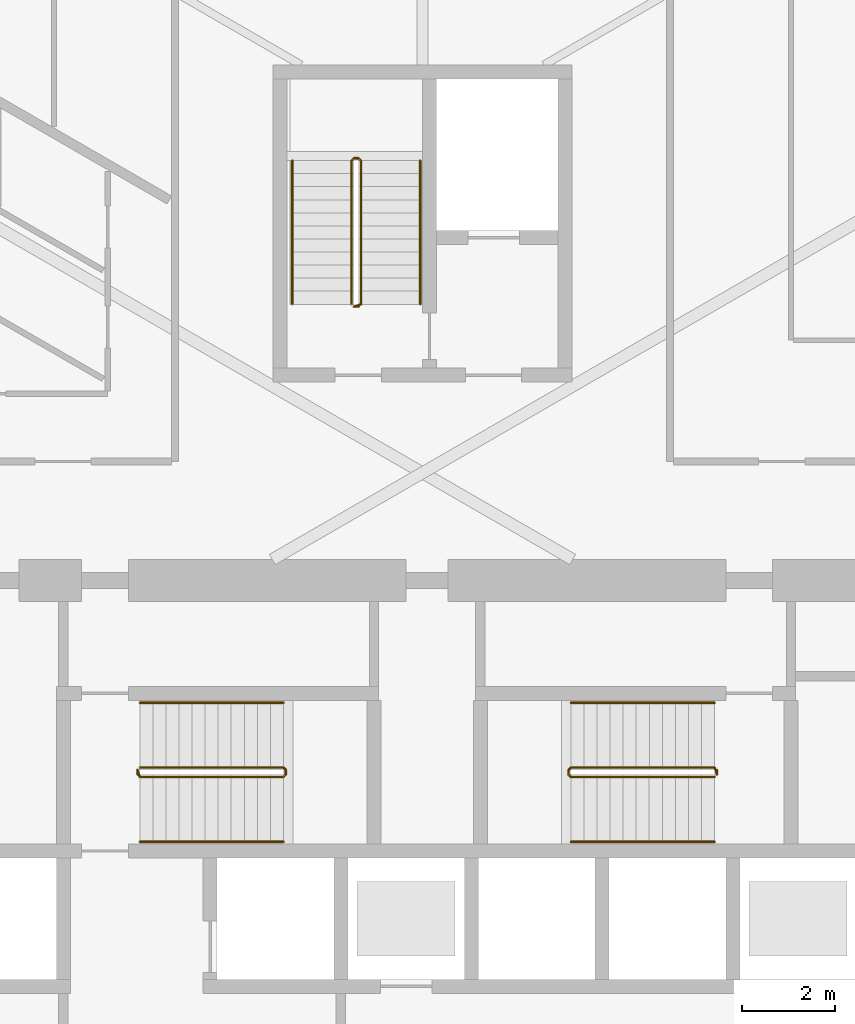
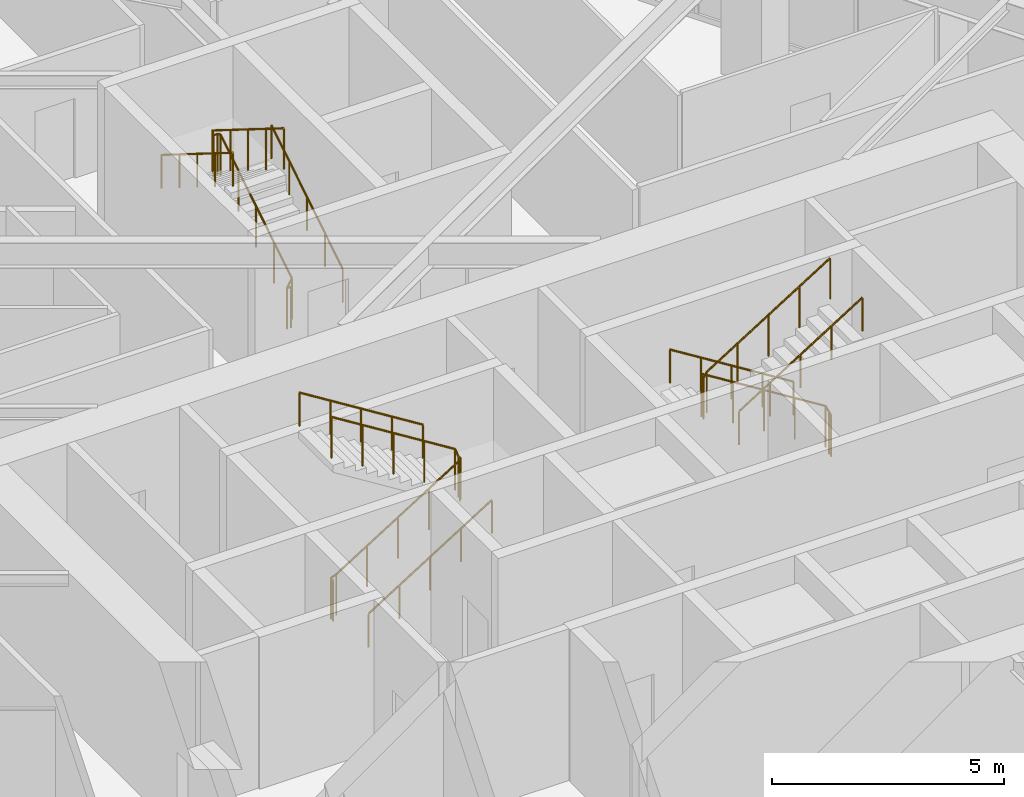
# One storey, part 20 of 21: 9 railings.
"""IFC4 building model written with IfcOpenShell, lengths in metres."""

from ifc_helpers import new_model, si_unit, direction, frame, origin, origin_2d, place, context, subcontext, project, spatial, circle, extrude, material, type_object, element, save


model = new_model("IFC4")

# Units and contexts
model_context = context("Model", 3, precision=1e-05, world=origin(), true_north=direction((0.0, 1.0)))
body_context = subcontext(model_context, "Body", "Model", "MODEL_VIEW")
ifc_project = project(units=[si_unit("LENGTHUNIT", "METRE"), si_unit("AREAUNIT", "SQUARE_METRE"), si_unit("VOLUMEUNIT", "CUBIC_METRE"), si_unit("PLANEANGLEUNIT", "RADIAN"), si_unit("MASSUNIT", "GRAM", prefix="KILO")], contexts=[model_context])

# Site, building, storey
site_placement = place(None, origin())
site = spatial("IfcSite", under=ifc_project, at=site_placement, CompositionType="ELEMENT")
building_placement = place(site_placement, origin())
building = spatial("IfcBuilding", under=site, at=building_placement, Name="Firuza Gate Tower and Library", CompositionType="ELEMENT")
storey_placement = place(building_placement, frame((0.0, 0.0, 94.60009765625)))
storey = spatial("IfcBuildingStorey", under=building, at=storey_placement, Name="L21", CompositionType="ELEMENT", Elevation=94.60009765625)

# Railings
ifc_material_1 = material(Name="Steel S355", Category="steel")
railing_type_1 = type_object("IfcRailingType", Name="Stair guard 1100", PredefinedType="GUARDRAIL", material=ifc_material_1)
railing_1_placement = place(storey_placement, frame((68.889892578125, 79.389892578125, 0.0)))
element("IfcRailing", 1, at=railing_1_placement, inside=storey, type_object=railing_type_1, Name="L21 ST1 stair guard 1", PredefinedType="GUARDRAIL", context=body_context, shape_type="SweptSolid", body=[
    extrude(circle(Radius=0.02392578125, at=origin_2d()), frame((0.0, 0.0, 1.076171875), z_axis=(0.0, 1.0, 0.0), x_axis=(-1.0, 0.0, 0.0)), (0.0, 0.0, 1.0), 0.10009765625),
    extrude(circle(Radius=0.02392578125, at=origin_2d()), frame((0.0, 0.10009765625, 1.076171875), z_axis=(0.212383695785, -0.636115069328, 0.741788908207), x_axis=(0.948528701346, 0.316691178788, 0.0)), (0.0, 0.0, 1.0), 0.235595703125),
    extrude(circle(Radius=0.02392578125, at=origin_2d()), frame((0.050048828125, -0.0498046875, 1.2509765625), z_axis=(0.847998304005, 0.0, 0.529998940003), x_axis=(0.0, 1.0, 0.0)), (0.0, 0.0, 1.0), 3.632080078125),
    extrude(circle(Radius=0.02392578125, at=origin_2d()), frame((3.130126953125, -0.0498046875, 3.17578125), z_axis=(0.708833529934, 0.705375805398, 0.0), x_axis=(-0.705375805398, 0.708833529934, 0.0)), (0.0, 0.0, 1.0), 0.070556640625),
    extrude(circle(Radius=0.02392578125, at=origin_2d()), frame((3.18017578125, 0.0, 3.17578125), z_axis=(0.0, 1.0, 0.0), x_axis=(-1.0, 0.0, 0.0)), (0.0, 0.0, 1.0), 0.10009765625),
    extrude(circle(Radius=0.02392578125, at=origin_2d()), frame((3.18017578125, 0.10009765625, 3.17578125), z_axis=(-0.265065253269, 0.265065253269, 0.927081885822), x_axis=(-0.707106781187, -0.707106781187, 0.0)), (0.0, 0.0, 1.0), 0.188720703125),
    extrude(circle(Radius=0.02392578125, at=origin_2d()), frame((3.130126953125, 0.150146484375, 3.35107421875), z_axis=(-0.847998304005, 0.0, 0.529998940003), x_axis=(0.0, -1.0, 0.0)), (0.0, 0.0, 1.0), 3.632080078125),
    extrude(circle(Radius=0.02099609375, at=origin_2d()), origin(), (0.0, 0.0, 1.0), 1.052001953125),
    extrude(circle(Radius=0.02099609375, at=origin_2d()), frame((0.0, 0.10009765625, 0.0)), (0.0, 0.0, 1.0), 1.052001953125),
    extrude(circle(Radius=0.02099609375, at=origin_2d()), frame((0.050048828125, -0.0498046875, 0.1748046875)), (0.0, 0.0, 1.0), 1.052001953125),
    extrude(circle(Radius=0.02099609375, at=origin_2d()), frame((0.820068359375, -0.0498046875, 0.656005859375)), (0.0, 0.0, 1.0), 1.052001953125),
    extrude(circle(Radius=0.02099609375, at=origin_2d()), frame((1.590087890625, -0.0498046875, 1.13720703125)), (0.0, 0.0, 1.0), 1.052001953125),
    extrude(circle(Radius=0.02099609375, at=origin_2d()), frame((2.360107421875, -0.0498046875, 1.61865234375)), (0.0, 0.0, 1.0), 1.052001953125),
    extrude(circle(Radius=0.02099609375, at=origin_2d()), frame((3.130126953125, -0.0498046875, 2.099853515625)), (0.0, 0.0, 1.0), 1.052001953125),
    extrude(circle(Radius=0.02099609375, at=origin_2d()), frame((3.18017578125, 0.0, 2.099853515625)), (0.0, 0.0, 1.0), 1.052001953125),
    extrude(circle(Radius=0.02099609375, at=origin_2d()), frame((3.18017578125, 0.10009765625, 2.099853515625)), (0.0, 0.0, 1.0), 1.052001953125),
    extrude(circle(Radius=0.02099609375, at=origin_2d()), frame((3.130126953125, 0.150146484375, 2.27490234375)), (0.0, 0.0, 1.0), 1.052001953125),
    extrude(circle(Radius=0.02099609375, at=origin_2d()), frame((2.360107421875, 0.150146484375, 2.756103515625)), (0.0, 0.0, 1.0), 1.052001953125),
    extrude(circle(Radius=0.02099609375, at=origin_2d()), frame((1.590087890625, 0.150146484375, 3.2373046875)), (0.0, 0.0, 1.0), 1.052001953125),
    extrude(circle(Radius=0.02099609375, at=origin_2d()), frame((0.820068359375, 0.150146484375, 3.71875)), (0.0, 0.0, 1.0), 1.052001953125),
    extrude(circle(Radius=0.02099609375, at=origin_2d()), frame((0.050048828125, 0.150146484375, 4.199951171875)), (0.0, 0.0, 1.0), 1.052001953125),
])
railing_2_placement = place(storey_placement, frame((81.31005859375, 79.489990234375, 0.0)))
element("IfcRailing", 2, at=railing_2_placement, inside=storey, type_object=railing_type_1, Name="L21 ST2 stair guard 1", PredefinedType="GUARDRAIL", context=body_context, shape_type="SweptSolid", body=[
    extrude(circle(Radius=0.02392578125, at=origin_2d()), frame((0.0, 0.0, 1.076171875), z_axis=(0.0, -1.0, 0.0), x_axis=(1.0, 0.0, 0.0)), (0.0, 0.0, 1.0), 0.10009765625),
    extrude(circle(Radius=0.02392578125, at=origin_2d()), frame((0.0, -0.10009765625, 1.076171875), z_axis=(-0.21224375372, 0.63673126116, 0.741300134944), x_axis=(-0.948683298051, -0.316227766017, 0.0)), (0.0, 0.0, 1.0), 0.23583984375),
    extrude(circle(Radius=0.02392578125, at=origin_2d()), frame((-0.050048828125, 0.050048828125, 1.2509765625), z_axis=(-0.847998304005, 0.0, 0.529998940003), x_axis=(0.0, -1.0, 0.0)), (0.0, 0.0, 1.0), 3.632080078125),
    extrude(circle(Radius=0.02392578125, at=origin_2d()), frame((-3.130126953125, 0.050048828125, 3.17578125), z_axis=(-0.707106781187, -0.707106781187, 0.0), x_axis=(0.707106781187, -0.707106781187, 0.0)), (0.0, 0.0, 1.0), 0.07080078125),
    extrude(circle(Radius=0.02392578125, at=origin_2d()), frame((-3.18017578125, 0.0, 3.17578125), z_axis=(0.0, -1.0, 0.0), x_axis=(1.0, 0.0, 0.0)), (0.0, 0.0, 1.0), 0.10009765625),
    extrude(circle(Radius=0.02392578125, at=origin_2d()), frame((-3.18017578125, -0.10009765625, 3.17578125), z_axis=(0.265155923931, -0.263862480399, 0.927399011991), x_axis=(0.705375805398, 0.708833529934, 0.0)), (0.0, 0.0, 1.0), 0.188720703125),
    extrude(circle(Radius=0.02392578125, at=origin_2d()), frame((-3.130126953125, -0.14990234375, 3.35107421875), z_axis=(0.847998304005, 0.0, 0.529998940003), x_axis=(0.0, 1.0, 0.0)), (0.0, 0.0, 1.0), 3.632080078125),
    extrude(circle(Radius=0.02099609375, at=origin_2d()), origin(), (0.0, 0.0, 1.0), 1.052001953125),
    extrude(circle(Radius=0.02099609375, at=origin_2d()), frame((0.0, -0.10009765625, 0.0)), (0.0, 0.0, 1.0), 1.052001953125),
    extrude(circle(Radius=0.02099609375, at=origin_2d()), frame((-0.050048828125, 0.050048828125, 0.1748046875)), (0.0, 0.0, 1.0), 1.052001953125),
    extrude(circle(Radius=0.02099609375, at=origin_2d()), frame((-0.820068359375, 0.050048828125, 0.656005859375)), (0.0, 0.0, 1.0), 1.052001953125),
    extrude(circle(Radius=0.02099609375, at=origin_2d()), frame((-1.590087890625, 0.050048828125, 1.13720703125)), (0.0, 0.0, 1.0), 1.052001953125),
    extrude(circle(Radius=0.02099609375, at=origin_2d()), frame((-2.360107421875, 0.050048828125, 1.61865234375)), (0.0, 0.0, 1.0), 1.052001953125),
    extrude(circle(Radius=0.02099609375, at=origin_2d()), frame((-3.130126953125, 0.050048828125, 2.099853515625)), (0.0, 0.0, 1.0), 1.052001953125),
    extrude(circle(Radius=0.02099609375, at=origin_2d()), frame((-3.18017578125, 0.0, 2.099853515625)), (0.0, 0.0, 1.0), 1.052001953125),
    extrude(circle(Radius=0.02099609375, at=origin_2d()), frame((-3.18017578125, -0.10009765625, 2.099853515625)), (0.0, 0.0, 1.0), 1.052001953125),
    extrude(circle(Radius=0.02099609375, at=origin_2d()), frame((-3.130126953125, -0.14990234375, 2.27490234375)), (0.0, 0.0, 1.0), 1.052001953125),
    extrude(circle(Radius=0.02099609375, at=origin_2d()), frame((-2.360107421875, -0.14990234375, 2.756103515625)), (0.0, 0.0, 1.0), 1.052001953125),
    extrude(circle(Radius=0.02099609375, at=origin_2d()), frame((-1.590087890625, -0.14990234375, 3.2373046875)), (0.0, 0.0, 1.0), 1.052001953125),
    extrude(circle(Radius=0.02099609375, at=origin_2d()), frame((-0.820068359375, -0.14990234375, 3.71875)), (0.0, 0.0, 1.0), 1.052001953125),
    extrude(circle(Radius=0.02099609375, at=origin_2d()), frame((-0.050048828125, -0.14990234375, 4.199951171875)), (0.0, 0.0, 1.0), 1.052001953125),
])
railing_3_placement = place(storey_placement, frame((73.6298828125, 89.419921875, 0.0)))
element("IfcRailing", 3, at=railing_3_placement, inside=storey, type_object=railing_type_1, Name="L21 ST3 stair guard 1", PredefinedType="GUARDRAIL", context=body_context, shape_type="SweptSolid", body=[
    extrude(circle(Radius=0.02392578125, at=origin_2d()), frame((0.0, 0.0, 1.076171875), z_axis=(-1.0, 0.0, 0.0), x_axis=(0.0, -1.0, 0.0)), (0.0, 0.0, 1.0), 0.099853515625),
    extrude(circle(Radius=0.02392578125, at=origin_2d()), frame((-0.099853515625, 0.0, 1.076171875), z_axis=(0.636115069328, 0.212383695785, 0.741788908207), x_axis=(-0.316691178788, 0.948528701346, 0.0)), (0.0, 0.0, 1.0), 0.235595703125),
    extrude(circle(Radius=0.02392578125, at=origin_2d()), frame((0.050048828125, 0.050048828125, 1.2509765625), z_axis=(0.0, 0.847998304005, 0.529998940003), x_axis=(-1.0, 0.0, 0.0)), (0.0, 0.0, 1.0), 3.632080078125),
    extrude(circle(Radius=0.02392578125, at=origin_2d()), frame((0.050048828125, 3.130126953125, 3.17578125), z_axis=(-0.707106781187, 0.707106781187, 0.0), x_axis=(-0.707106781187, -0.707106781187, 0.0)), (0.0, 0.0, 1.0), 0.07080078125),
    extrude(circle(Radius=0.02392578125, at=origin_2d()), frame((0.0, 3.18017578125, 3.17578125), z_axis=(-1.0, 0.0, 0.0), x_axis=(0.0, -1.0, 0.0)), (0.0, 0.0, 1.0), 0.099853515625),
    extrude(circle(Radius=0.02392578125, at=origin_2d()), frame((-0.099853515625, 3.18017578125, 3.17578125), z_axis=(-0.265065253269, -0.265065253269, 0.927081885822), x_axis=(0.707106781187, -0.707106781187, 0.0)), (0.0, 0.0, 1.0), 0.188720703125),
    extrude(circle(Radius=0.02392578125, at=origin_2d()), frame((-0.14990234375, 3.130126953125, 3.35107421875), z_axis=(0.0, -0.847998304005, 0.529998940003), x_axis=(1.0, 0.0, 0.0)), (0.0, 0.0, 1.0), 3.632080078125),
    extrude(circle(Radius=0.02099609375, at=origin_2d()), origin(), (0.0, 0.0, 1.0), 1.052001953125),
    extrude(circle(Radius=0.02099609375, at=origin_2d()), frame((-0.099853515625, 0.0, 0.0)), (0.0, 0.0, 1.0), 1.052001953125),
    extrude(circle(Radius=0.02099609375, at=origin_2d()), frame((0.050048828125, 0.050048828125, 0.1748046875)), (0.0, 0.0, 1.0), 1.052001953125),
    extrude(circle(Radius=0.02099609375, at=origin_2d()), frame((0.050048828125, 0.820068359375, 0.656005859375)), (0.0, 0.0, 1.0), 1.052001953125),
    extrude(circle(Radius=0.02099609375, at=origin_2d()), frame((0.050048828125, 1.590087890625, 1.13720703125)), (0.0, 0.0, 1.0), 1.052001953125),
    extrude(circle(Radius=0.02099609375, at=origin_2d()), frame((0.050048828125, 2.360107421875, 1.61865234375)), (0.0, 0.0, 1.0), 1.052001953125),
    extrude(circle(Radius=0.02099609375, at=origin_2d()), frame((0.050048828125, 3.130126953125, 2.099853515625)), (0.0, 0.0, 1.0), 1.052001953125),
    extrude(circle(Radius=0.02099609375, at=origin_2d()), frame((0.0, 3.18017578125, 2.099853515625)), (0.0, 0.0, 1.0), 1.052001953125),
    extrude(circle(Radius=0.02099609375, at=origin_2d()), frame((-0.099853515625, 3.18017578125, 2.099853515625)), (0.0, 0.0, 1.0), 1.052001953125),
    extrude(circle(Radius=0.02099609375, at=origin_2d()), frame((-0.14990234375, 3.130126953125, 2.27490234375)), (0.0, 0.0, 1.0), 1.052001953125),
    extrude(circle(Radius=0.02099609375, at=origin_2d()), frame((-0.14990234375, 2.360107421875, 2.756103515625)), (0.0, 0.0, 1.0), 1.052001953125),
    extrude(circle(Radius=0.02099609375, at=origin_2d()), frame((-0.14990234375, 1.590087890625, 3.2373046875)), (0.0, 0.0, 1.0), 1.052001953125),
    extrude(circle(Radius=0.02099609375, at=origin_2d()), frame((-0.14990234375, 0.820068359375, 3.71875)), (0.0, 0.0, 1.0), 1.052001953125),
    extrude(circle(Radius=0.02099609375, at=origin_2d()), frame((-0.14990234375, 0.050048828125, 4.199951171875)), (0.0, 0.0, 1.0), 1.052001953125),
])
ifc_material_2 = material(Name="Steel S355", Category="steel")
railing_type_2 = type_object("IfcRailingType", Name="Stair handrail 900", PredefinedType="HANDRAIL", material=ifc_material_2)
railing_4_placement = place(storey_placement, frame((68.93994140625, 77.949951171875, 0.1748046875)))
element("IfcRailing", 4, at=railing_4_placement, inside=storey, type_object=railing_type_2, Name="L21 ST1 stair handrail 1", PredefinedType="HANDRAIL", context=body_context, shape_type="SweptSolid", body=[
    extrude(circle(Radius=0.02392578125, at=origin_2d()), frame((0.0, 0.0, 0.8759765625), z_axis=(0.847998304005, 0.0, 0.529998940003), x_axis=(0.0, 1.0, 0.0)), (0.0, 0.0, 1.0), 3.632080078125),
    extrude(circle(Radius=0.02099609375, at=origin_2d()), origin(), (0.0, 0.0, 1.0), 0.851806640625),
    extrude(circle(Radius=0.02099609375, at=origin_2d()), frame((0.77001953125, 0.0, 0.481201171875)), (0.0, 0.0, 1.0), 0.851806640625),
    extrude(circle(Radius=0.02099609375, at=origin_2d()), frame((1.5400390625, 0.0, 0.96240234375)), (0.0, 0.0, 1.0), 0.851806640625),
    extrude(circle(Radius=0.02099609375, at=origin_2d()), frame((2.31005859375, 0.0, 1.44384765625)), (0.0, 0.0, 1.0), 0.851806640625),
    extrude(circle(Radius=0.02099609375, at=origin_2d()), frame((3.080078125, 0.0, 1.925048828125)), (0.0, 0.0, 1.0), 0.851806640625),
])
for number, where, name in (
    (5, (72.02001953125, 80.929931640625, 2.27490234375), "L21 ST1 stair handrail 2"),
    (6, (81.260009765625, 80.929931640625, 0.1748046875), "L21 ST2 stair handrail 1"),
):
    element("IfcRailing", number, at=place(storey_placement, frame(where)), inside=storey, type_object=railing_type_2, Name=name, PredefinedType="HANDRAIL", context=body_context, shape_type="SweptSolid", body=[
        extrude(circle(Radius=0.02392578125, at=origin_2d()), frame((0.0, 0.0, 0.8759765625), z_axis=(-0.847998304005, 0.0, 0.529998940003), x_axis=(0.0, -1.0, 0.0)), (0.0, 0.0, 1.0), 3.632080078125),
        extrude(circle(Radius=0.02099609375, at=origin_2d()), origin(), (0.0, 0.0, 1.0), 0.851806640625),
        extrude(circle(Radius=0.02099609375, at=origin_2d()), frame((-0.77001953125, 0.0, 0.481201171875)), (0.0, 0.0, 1.0), 0.851806640625),
        extrude(circle(Radius=0.02099609375, at=origin_2d()), frame((-1.5400390625, 0.0, 0.96240234375)), (0.0, 0.0, 1.0), 0.851806640625),
        extrude(circle(Radius=0.02099609375, at=origin_2d()), frame((-2.31005859375, 0.0, 1.44384765625)), (0.0, 0.0, 1.0), 0.851806640625),
        extrude(circle(Radius=0.02099609375, at=origin_2d()), frame((-3.080078125, 0.0, 1.925048828125)), (0.0, 0.0, 1.0), 0.851806640625),
    ])
railing_5_placement = place(storey_placement, frame((78.179931640625, 77.949951171875, 2.27490234375)))
element("IfcRailing", 7, at=railing_5_placement, inside=storey, type_object=railing_type_2, Name="L21 ST2 stair handrail 2", PredefinedType="HANDRAIL", context=body_context, shape_type="SweptSolid", body=[
    extrude(circle(Radius=0.02392578125, at=origin_2d()), frame((0.0, 0.0, 0.8759765625), z_axis=(0.847998304005, 0.0, 0.529998940003), x_axis=(0.0, 1.0, 0.0)), (0.0, 0.0, 1.0), 3.632080078125),
    extrude(circle(Radius=0.02099609375, at=origin_2d()), origin(), (0.0, 0.0, 1.0), 0.851806640625),
    extrude(circle(Radius=0.02099609375, at=origin_2d()), frame((0.77001953125, 0.0, 0.481201171875)), (0.0, 0.0, 1.0), 0.851806640625),
    extrude(circle(Radius=0.02099609375, at=origin_2d()), frame((1.5400390625, 0.0, 0.96240234375)), (0.0, 0.0, 1.0), 0.851806640625),
    extrude(circle(Radius=0.02099609375, at=origin_2d()), frame((2.31005859375, 0.0, 1.44384765625)), (0.0, 0.0, 1.0), 0.851806640625),
    extrude(circle(Radius=0.02099609375, at=origin_2d()), frame((3.080078125, 0.0, 1.925048828125)), (0.0, 0.0, 1.0), 0.851806640625),
])
railing_6_placement = place(storey_placement, frame((74.949951171875, 89.469970703125, 0.1748046875)))
element("IfcRailing", 8, at=railing_6_placement, inside=storey, type_object=railing_type_2, Name="L21 ST3 stair handrail 1", PredefinedType="HANDRAIL", context=body_context, shape_type="SweptSolid", body=[
    extrude(circle(Radius=0.02392578125, at=origin_2d()), frame((0.0, 0.0, 0.8759765625), z_axis=(0.0, 0.847998304005, 0.529998940003), x_axis=(-1.0, 0.0, 0.0)), (0.0, 0.0, 1.0), 3.632080078125),
    extrude(circle(Radius=0.02099609375, at=origin_2d()), origin(), (0.0, 0.0, 1.0), 0.851806640625),
    extrude(circle(Radius=0.02099609375, at=origin_2d()), frame((0.0, 0.77001953125, 0.481201171875)), (0.0, 0.0, 1.0), 0.851806640625),
    extrude(circle(Radius=0.02099609375, at=origin_2d()), frame((0.0, 1.5400390625, 0.96240234375)), (0.0, 0.0, 1.0), 0.851806640625),
    extrude(circle(Radius=0.02099609375, at=origin_2d()), frame((0.0, 2.31005859375, 1.44384765625)), (0.0, 0.0, 1.0), 0.851806640625),
    extrude(circle(Radius=0.02099609375, at=origin_2d()), frame((0.0, 3.080078125, 1.925048828125)), (0.0, 0.0, 1.0), 0.851806640625),
])
railing_7_placement = place(storey_placement, frame((72.2099609375, 92.550048828125, 2.27490234375)))
element("IfcRailing", 9, at=railing_7_placement, inside=storey, type_object=railing_type_2, Name="L21 ST3 stair handrail 2", PredefinedType="HANDRAIL", context=body_context, shape_type="SweptSolid", body=[
    extrude(circle(Radius=0.02392578125, at=origin_2d()), frame((0.0, 0.0, 0.8759765625), z_axis=(0.0, -0.847998304005, 0.529998940003), x_axis=(1.0, 0.0, 0.0)), (0.0, 0.0, 1.0), 3.632080078125),
    extrude(circle(Radius=0.02099609375, at=origin_2d()), origin(), (0.0, 0.0, 1.0), 0.851806640625),
    extrude(circle(Radius=0.02099609375, at=origin_2d()), frame((0.0, -0.77001953125, 0.481201171875)), (0.0, 0.0, 1.0), 0.851806640625),
    extrude(circle(Radius=0.02099609375, at=origin_2d()), frame((0.0, -1.5400390625, 0.96240234375)), (0.0, 0.0, 1.0), 0.851806640625),
    extrude(circle(Radius=0.02099609375, at=origin_2d()), frame((0.0, -2.31005859375, 1.44384765625)), (0.0, 0.0, 1.0), 0.851806640625),
    extrude(circle(Radius=0.02099609375, at=origin_2d()), frame((0.0, -3.080078125, 1.925048828125)), (0.0, 0.0, 1.0), 0.851806640625),
])

save(model, "model.ifc")
